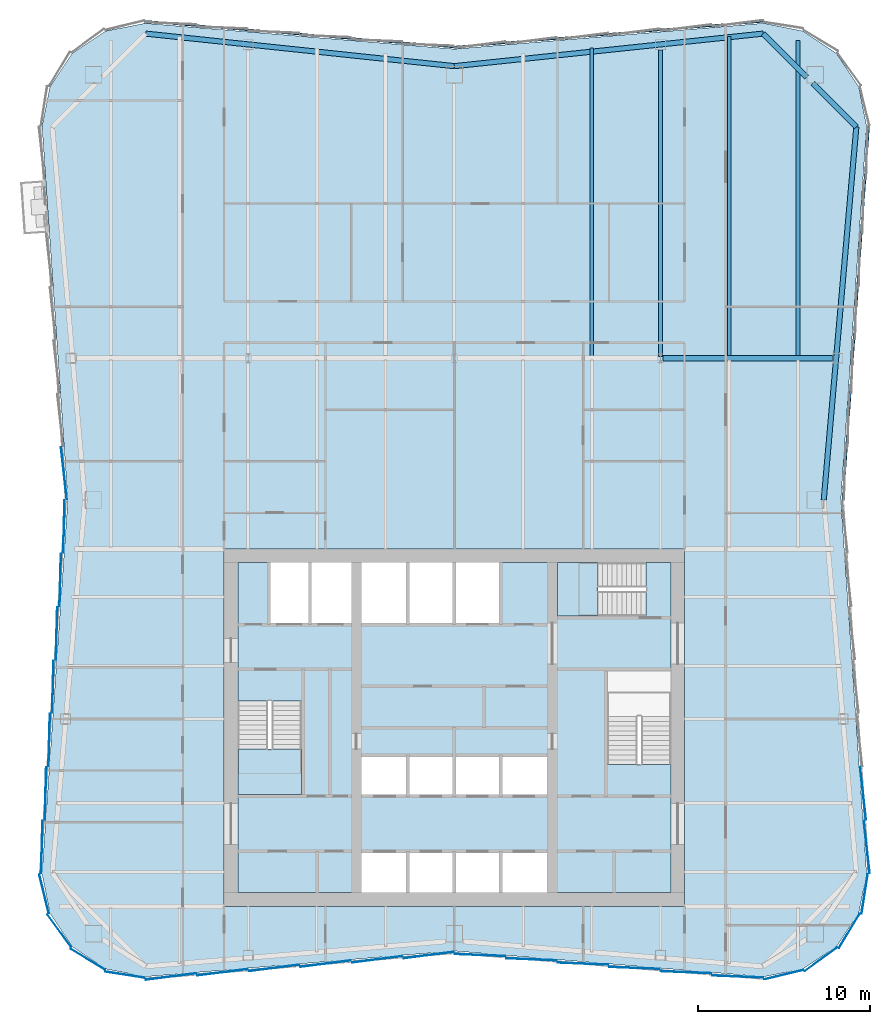
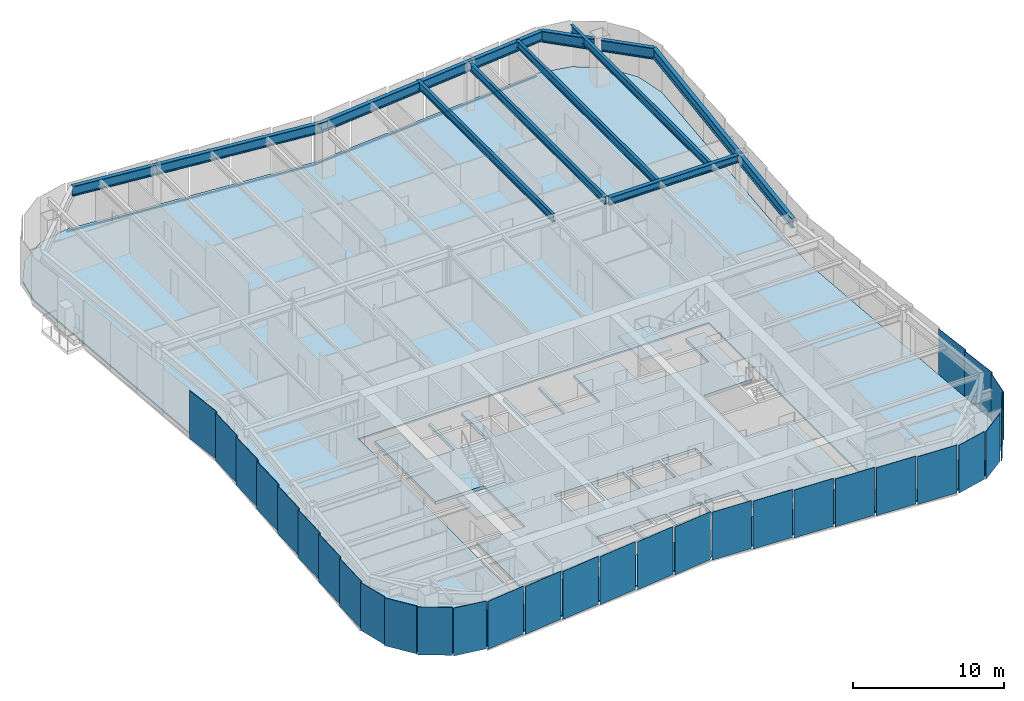
# One storey, part 4 of 11: 30 plates, 10 beams, 4 slabs, 3 members, 8 elements without a shape of their own.
"""IFC4 building model written with IfcOpenShell, lengths in metres."""

import ifcopenshell
import ifcopenshell.guid

model = None  # the IFC model being written
_history = None  # IfcOwnerHistory: only IFC2X3 demands one
_inside = {}  # id of a spatial element -> (the spatial element, [elements in it])
_under = {}  # id of a project, library or spatial element -> (it, [spatial elements below it])
_declared = {}  # id of a project -> (the project, [libraries it declares])
_typed = {}  # id of a type object -> (the type object, [elements of that type])
_made_of = {}  # id of a material, layer set ... -> (it, [elements and type objects made of it])


def new_model(schema):
    """Start an empty IFC model of exactly this schema.

    Asked for "IFC4X3", IfcOpenShell would pick the latest addendum, in which some entities
    have other attributes; the version numbers below select the first issue.
    IFC2X3 requires an IfcOwnerHistory on every rooted entity: one is made here for all.
    """
    global model, _history
    if schema == "IFC4X3":
        model = ifcopenshell.file(schema_version=(4, 3, 0, 0))
    else:
        model = ifcopenshell.file(schema=schema)
    _inside.clear()
    _under.clear()
    _declared.clear()
    _typed.clear()
    _made_of.clear()
    _history = None
    if model.schema == "IFC2X3":
        org = make("IfcOrganization", Name="unknown")
        user = make(
            "IfcPersonAndOrganization",
            ThePerson=make("IfcPerson", FamilyName="unknown"),
            TheOrganization=org,
        )
        app = make(
            "IfcApplication",
            ApplicationDeveloper=org,
            Version="unknown",
            ApplicationFullName="unknown",
            ApplicationIdentifier="unknown",
        )
        _history = make(
            "IfcOwnerHistory",
            OwningUser=user,
            OwningApplication=app,
            ChangeAction="ADDED",
            CreationDate=0,
        )
    return model


def make(cls, **values):
    """One entity of the class cls with the attributes given. An attribute that is None is left unset."""
    return model.create_entity(
        cls, **{name: value for name, value in values.items() if value is not None}
    )


def rooted(cls, **values):
    """An entity with a GlobalId (a new one), such as an element, a storey or a relation."""
    return make(cls, GlobalId=ifcopenshell.guid.new(), OwnerHistory=_history, **values)


def si_unit(unit_type, name, prefix=None):
    """IfcSIUnit, for example si_unit("LENGTHUNIT", "METRE", prefix="MILLI")."""
    return make("IfcSIUnit", UnitType=unit_type, Prefix=prefix, Name=name)


def assignment(units):
    """IfcUnitAssignment: the units of a project."""
    return None if units is None else make("IfcUnitAssignment", Units=units)


def point(xyz):
    """IfcCartesianPoint."""
    return None if xyz is None else make("IfcCartesianPoint", Coordinates=xyz)


def direction(xyz):
    """IfcDirection."""
    return None if xyz is None else make("IfcDirection", DirectionRatios=xyz)


def frame(location, z_axis=None, x_axis=None):
    """IfcAxis2Placement3D, a coordinate frame: its origin and axes. An axis left out is left unset."""
    return make(
        "IfcAxis2Placement3D",
        Location=point(location),
        Axis=direction(z_axis),
        RefDirection=direction(x_axis),
    )


def frame_2d(location, x_axis=None):
    """IfcAxis2Placement2D, a coordinate frame in the plane: its origin and x axis."""
    return make(
        "IfcAxis2Placement2D", Location=point(location), RefDirection=direction(x_axis)
    )


def origin():
    """The frame at (0, 0, 0) with its axes left unset."""
    return frame((0.0, 0.0, 0.0))


def origin_2d():
    """The frame at (0, 0) in the plane with its x axis left unset."""
    return frame_2d((0.0, 0.0))


def place(relative_to, where):
    """IfcLocalPlacement: puts the frame where relative to a parent placement (None: the world)."""
    return make(
        "IfcLocalPlacement", PlacementRelTo=relative_to, RelativePlacement=where
    )


def context(
    kind, dimensions, precision=None, world=None, true_north=None, identifier=None
):
    """IfcGeometricRepresentationContext, for example the 3D "Model" context."""
    return make(
        "IfcGeometricRepresentationContext",
        ContextIdentifier=identifier,
        ContextType=kind,
        CoordinateSpaceDimension=dimensions,
        Precision=precision,
        WorldCoordinateSystem=world,
        TrueNorth=true_north,
    )


def subcontext(parent, identifier, kind, view, scale=None):
    """IfcGeometricRepresentationSubContext, for example "Body" below "Model"."""
    return make(
        "IfcGeometricRepresentationSubContext",
        ContextIdentifier=identifier,
        ContextType=kind,
        ParentContext=parent,
        TargetScale=scale,
        TargetView=view,
    )


def project(units=None, contexts=None):
    """IfcProject with its units and contexts."""
    return rooted(
        "IfcProject",
        Name="project",
        RepresentationContexts=contexts,
        UnitsInContext=assignment(units),
    )


def spatial(cls, under=None, at=None, **own):
    """A site, building, storey or space (cls), placed at a placement, below another one or the project."""
    s = rooted(cls, ObjectPlacement=at, **own)
    if under is not None:
        _under.setdefault(under.id(), (under, []))[1].append(s)
    return s


def polyline(points):
    """IfcPolyline through the points."""
    return make("IfcPolyline", Points=[point(p) for p in points])


def profile(cls, at=None, kind="AREA", **sizes):
    """A parametric profile (cls). Its sizes go by their IFC names, for example OverallWidth=200.0."""
    return make(cls, ProfileType=kind, Position=at, **sizes)


def rectangle(**sizes):
    """IfcRectangleProfileDef."""
    return profile("IfcRectangleProfileDef", **sizes)


def i_section(**sizes):
    """IfcIShapeProfileDef."""
    return profile("IfcIShapeProfileDef", **sizes)


def outline(outer, holes=None, kind="AREA"):
    """IfcArbitraryClosedProfileDef: a profile drawn as a closed curve; with holes, ...WithVoids."""
    if holes is None:
        return make("IfcArbitraryClosedProfileDef", ProfileType=kind, OuterCurve=outer)
    return make(
        "IfcArbitraryProfileDefWithVoids",
        ProfileType=kind,
        OuterCurve=outer,
        InnerCurves=holes,
    )


def extrude(swept, where, along, depth):
    """IfcExtrudedAreaSolid: the profile swept, set in the frame where, extruded along a direction by depth."""
    return make(
        "IfcExtrudedAreaSolid",
        SweptArea=swept,
        Position=where,
        ExtrudedDirection=direction(along),
        Depth=depth,
    )


def shape(context_of_items, identifier, shape_type, items):
    """IfcShapeRepresentation: the items that make up one representation, for example the "Body"."""
    return make(
        "IfcShapeRepresentation",
        ContextOfItems=context_of_items,
        RepresentationIdentifier=identifier,
        RepresentationType=shape_type,
        Items=items,
    )


def material(Name=None, Category=None):
    """IfcMaterial."""
    return make("IfcMaterial", Name=Name, Category=Category)


def layer(
    of_material, thickness, ventilated=None, Name=None, Category=None, Priority=None
):
    """IfcMaterialLayer: one layer of a wall or slab, of a material (None: an air gap)."""
    return make(
        "IfcMaterialLayer",
        Material=of_material,
        LayerThickness=thickness,
        IsVentilated=ventilated,
        Name=Name,
        Category=Category,
        Priority=Priority,
    )


def layer_set(layers, Name=None):
    """IfcMaterialLayerSet."""
    return make("IfcMaterialLayerSet", MaterialLayers=layers, LayerSetName=Name)


def material_profile(
    of_material, cross_section, Name=None, Category=None, Priority=None
):
    """IfcMaterialProfile: a cross section and its material."""
    return make(
        "IfcMaterialProfile",
        Name=Name,
        Material=of_material,
        Profile=cross_section,
        Priority=Priority,
        Category=Category,
    )


def profile_set(profiles, Name=None, composite=None):
    """IfcMaterialProfileSet."""
    return make(
        "IfcMaterialProfileSet",
        Name=Name,
        MaterialProfiles=profiles,
        CompositeProfile=composite,
    )


def made_of(thing, what):
    """Note that an element or type object is made of a material, layer set ...; save() writes the relation."""
    if what is not None:
        _made_of.setdefault(what.id(), (what, []))[1].append(thing)
    return thing


def type_object(cls, material=None, **own):
    """A type object (cls), such as IfcWallType, which elements share."""
    return made_of(rooted(cls, **own), material)


def element(
    cls,
    number,
    at=None,
    inside=None,
    cuts=None,
    type_object=None,
    material=None,
    context=None,
    identifier="Body",
    shape_type=None,
    held_by="IfcProductDefinitionShape",
    body=None,
    shapes=None,
    **own,
):
    """One element of the class cls, such as IfcWall. Its Tag is "e" and its number.

    at: its placement. inside: the storey or other place that contains it. cuts: it is an
    opening in that element (IfcRelVoidsElement). A single representation is given by context,
    identifier, shape_type and body (its items); several are given by shapes. held_by: the class
    of the entity that holds the representations. save() writes the other relations.
    """
    e = rooted(cls, Tag="e%d" % number, ObjectPlacement=at, **own)
    if body is not None:
        shapes = [shape(context, identifier, shape_type, body)]
    if shapes is not None:
        e.Representation = make(held_by, Representations=shapes)
    if inside is not None:
        _inside.setdefault(inside.id(), (inside, []))[1].append(e)
    if cuts is not None:
        rooted(
            "IfcRelVoidsElement", RelatingBuildingElement=cuts, RelatedOpeningElement=e
        )
    if type_object is not None:
        _typed.setdefault(type_object.id(), (type_object, []))[1].append(e)
    return made_of(e, material)


def aggregate(whole, parts):
    """IfcRelAggregates: a whole, such as a stair, and the parts it consists of."""
    return rooted("IfcRelAggregates", RelatingObject=whole, RelatedObjects=parts)


def save(model, path):
    """Write the relations noted so far, then the file.

    IfcRelAggregates (storeys below a building ...), IfcRelContainedInSpatialStructure (elements
    in a storey), IfcRelDefinesByType, IfcRelAssociatesMaterial and IfcRelDeclares: one each for
    every whole, place, type object, material and project.
    """
    for whole, parts in _under.values():
        aggregate(whole, parts)
    for where, things in _inside.values():
        rooted(
            "IfcRelContainedInSpatialStructure",
            RelatedElements=things,
            RelatingStructure=where,
        )
    for kind, things in _typed.values():
        rooted("IfcRelDefinesByType", RelatedObjects=things, RelatingType=kind)
    for what, things in _made_of.values():
        rooted("IfcRelAssociatesMaterial", RelatedObjects=things, RelatingMaterial=what)
    for by, libraries in _declared.values():
        rooted("IfcRelDeclares", RelatingContext=by, RelatedDefinitions=libraries)
    model.write(path)


model = new_model("IFC4")

# Units and contexts
model_context = context("Model", 3, precision=1e-05, world=origin(), true_north=direction((0.0, 1.0)))
body_context = subcontext(model_context, "Body", "Model", "MODEL_VIEW")
ifc_project = project(units=[si_unit("LENGTHUNIT", "METRE"), si_unit("AREAUNIT", "SQUARE_METRE"), si_unit("VOLUMEUNIT", "CUBIC_METRE"), si_unit("PLANEANGLEUNIT", "RADIAN"), si_unit("MASSUNIT", "GRAM", prefix="KILO")], contexts=[model_context])

# Site, building, storey
site_placement = place(None, origin())
site = spatial("IfcSite", under=ifc_project, at=site_placement, CompositionType="ELEMENT")
building_placement = place(site_placement, origin())
building = spatial("IfcBuilding", under=site, at=building_placement, Name="Verdant Reach Tower", CompositionType="ELEMENT")
storey_placement = place(building_placement, frame((0.0, 0.0, 258.0)))
storey = spatial("IfcBuildingStorey", under=building, at=storey_placement, Name="L59", CompositionType="ELEMENT", Elevation=258.0)

# Curtain wall, member
ifc_material_1 = material(Name="Anodised aluminium", Category="aluminium")
curtain_wall_type = type_object("IfcCurtainWallType", Name="EN-CW SYSTEM Z4", PredefinedType="NOTDEFINED", material=ifc_material_1)
curtain_wall_1_placement = place(storey_placement, origin())
curtain_wall_1 = element("IfcCurtainWall", 1, at=curtain_wall_1_placement, inside=storey, type_object=curtain_wall_type, Name="Curtain wall east, L59", PredefinedType="NOTDEFINED")
ifc_material_profile_1 = material_profile(ifc_material_1, rectangle(XDim=0.10009765625, YDim=0.1279296875, at=origin_2d()), Name="Transom 128x100")
ifc_profile_set_1 = profile_set([ifc_material_profile_1], Name="Anodised aluminium")
member_type = type_object("IfcMemberType", Name="EN-TRANSOM Z4", PredefinedType="USERDEFINED", material=ifc_profile_set_1)
member_1_placement = place(storey_placement, frame((22.6142578125, 41.283935546875, -0.285888671875), z_axis=(0.068770489035, 0.997632507408, 0.0), x_axis=(-0.997632507408, 0.068770489035, 0.0)))
member_1 = element("IfcMember", 2, at=member_1_placement, type_object=member_type, Name="Transom east face part 2 1.1, L59", ObjectType="TRANSOM", PredefinedType="USERDEFINED", context=body_context, shape_type="SweptSolid", body=[
    extrude(rectangle(XDim=0.10009765625, YDim=0.1279296875, at=origin_2d()), origin(), (0.0, 0.0, 1.0), 21.74072265625),
])

# Curtain wall, members
curtain_wall_2_placement = place(storey_placement, origin())
curtain_wall_2 = element("IfcCurtainWall", 3, at=curtain_wall_2_placement, inside=storey, type_object=curtain_wall_type, Name="Curtain wall north, L59", PredefinedType="NOTDEFINED")
member_2_placement = place(storey_placement, frame((17.972412109375, 69.10888671875, -0.285888671875), z_axis=(-0.996549124771, -0.083005071637, 0.0), x_axis=(0.083005071637, -0.996549124771, 0.0)))
member_2 = element("IfcMember", 4, at=member_2_placement, type_object=member_type, Name="Transom north face part 1 1.1, L59", ObjectType="TRANSOM", PredefinedType="USERDEFINED", context=body_context, shape_type="SweptSolid", body=[
    extrude(rectangle(XDim=0.10009765625, YDim=0.1279296875, at=origin_2d()), origin(), (0.0, 0.0, 1.0), 18.00048828125),
])
member_3_placement = place(storey_placement, frame((-0.033935546875, 67.61474609375, -0.285888671875), z_axis=(-0.996549124771, 0.083005071637, 0.0), x_axis=(-0.083005071637, -0.996549124771, 0.0)))
member_3 = element("IfcMember", 5, at=member_3_placement, type_object=member_type, Name="Transom north face part 2 1.1, L59", ObjectType="TRANSOM", PredefinedType="USERDEFINED", context=body_context, shape_type="SweptSolid", body=[
    extrude(rectangle(XDim=0.10009765625, YDim=0.1279296875, at=origin_2d()), origin(), (0.0, 0.0, 1.0), 18.00048828125),
])
aggregate(curtain_wall_2, [member_2, member_3])

# Beams
ifc_material_2 = material(Name="Steel S355", Category="steel")
ifc_material_profile_2 = material_profile(ifc_material_2, i_section(OverallWidth=0.300048828125, OverallDepth=0.60009765625, WebThickness=0.015380859375, FlangeThickness=0.030029296875, FilletRadius=0.027099609375, at=origin_2d()), Name="HEB 600")
ifc_profile_set_2 = profile_set([ifc_material_profile_2], Name="Steel S355")
beam_type_1 = type_object("IfcBeamType", Name="ST-BEAM-HEB600", PredefinedType="BEAM", material=ifc_profile_set_2)
beam_1_placement = place(storey_placement, frame((12.153076171875, 49.5, 3.570068359375), z_axis=(1.0, 0.0, 0.0), x_axis=(0.0, 1.0, 0.0)))
element("IfcBeam", 6, at=beam_1_placement, inside=storey, type_object=beam_type_1, Name="Row girder, L59", PredefinedType="BEAM", context=body_context, shape_type="SweptSolid", body=[
    extrude(i_section(OverallWidth=0.300048828125, OverallDepth=0.60009765625, WebThickness=0.015380859375, FlangeThickness=0.030029296875, FilletRadius=0.027099609375, at=origin_2d()), origin(), (0.0, 0.0, 1.0), 9.865966796875),
])
ifc_material_profile_3 = material_profile(ifc_material_2, i_section(OverallWidth=0.219970703125, OverallDepth=0.60009765625, WebThickness=0.011962890625, FlangeThickness=0.01904296875, FilletRadius=0.02392578125, at=origin_2d()), Name="IPE 600")
ifc_profile_set_3 = profile_set([ifc_material_profile_3], Name="Steel S355")
beam_type_2 = type_object("IfcBeamType", Name="ST-JOIST-IPE600", PredefinedType="JOIST", material=ifc_profile_set_3)
beam_2_placement = place(storey_placement, frame((8.0, 49.60009765625, 3.570068359375), z_axis=(0.0, 1.0, 0.0), x_axis=(-1.0, 0.0, 0.0)))
element("IfcBeam", 7, at=beam_2_placement, inside=storey, type_object=beam_type_2, Name="Floor joist, L59", PredefinedType="JOIST", context=body_context, shape_type="SweptSolid", body=[
    extrude(i_section(OverallWidth=0.219970703125, OverallDepth=0.60009765625, WebThickness=0.011962890625, FlangeThickness=0.01904296875, FilletRadius=0.02392578125, at=origin_2d()), origin(), (0.0, 0.0, 1.0), 17.964599609375),
])
beam_3_placement = place(storey_placement, frame((12.0, 49.60009765625, 3.570068359375), z_axis=(0.0, 1.0, 0.0), x_axis=(-1.0, 0.0, 0.0)))
element("IfcBeam", 8, at=beam_3_placement, inside=storey, type_object=beam_type_2, Name="Floor joist, L59", PredefinedType="JOIST", context=body_context, shape_type="SweptSolid", body=[
    extrude(i_section(OverallWidth=0.219970703125, OverallDepth=0.60009765625, WebThickness=0.011962890625, FlangeThickness=0.01904296875, FilletRadius=0.02392578125, at=origin_2d()), origin(), (0.0, 0.0, 1.0), 17.849853515625),
])
beam_4_placement = place(storey_placement, frame((16.0, 49.60009765625, 3.570068359375), z_axis=(0.0, 1.0, 0.0), x_axis=(-1.0, 0.0, 0.0)))
element("IfcBeam", 9, at=beam_4_placement, inside=storey, type_object=beam_type_2, Name="Floor joist, L59", PredefinedType="JOIST", context=body_context, shape_type="SweptSolid", body=[
    extrude(i_section(OverallWidth=0.219970703125, OverallDepth=0.60009765625, WebThickness=0.011962890625, FlangeThickness=0.01904296875, FilletRadius=0.02392578125, at=origin_2d()), origin(), (0.0, 0.0, 1.0), 18.631103515625),
])
beam_5_placement = place(storey_placement, frame((20.0, 49.60009765625, 3.570068359375), z_axis=(0.0, 1.0, 0.0), x_axis=(-1.0, 0.0, 0.0)))
element("IfcBeam", 10, at=beam_5_placement, inside=storey, type_object=beam_type_2, Name="Floor joist, L59", PredefinedType="JOIST", context=body_context, shape_type="SweptSolid", body=[
    extrude(i_section(OverallWidth=0.219970703125, OverallDepth=0.60009765625, WebThickness=0.011962890625, FlangeThickness=0.01904296875, FilletRadius=0.02392578125, at=origin_2d()), origin(), (0.0, 0.0, 1.0), 18.390380859375),
])
ifc_material_profile_4 = material_profile(ifc_material_2, i_section(OverallWidth=0.300048828125, OverallDepth=0.800048828125, WebThickness=0.017578125, FlangeThickness=0.032958984375, FilletRadius=0.030029296875, at=origin_2d()), Name="HEB 800")
ifc_profile_set_4 = profile_set([ifc_material_profile_4], Name="Steel S355")
beam_type_3 = type_object("IfcBeamType", Name="ST-SPANDREL-HEB800", PredefinedType="SPANDREL", material=ifc_profile_set_4)
for number, where, z_axis, x_axis, name in (
    (11, (-17.9658203125, 68.39501953125, 3.469970703125), (0.994483067002, -0.104897232783, 0.0), (0.104897232783, 0.994483067002, 0.0), "Edge beam, L59"),
    (12, (0.0, 66.5, 3.469970703125), (0.994483067002, 0.104897232783, 0.0), (-0.104897232783, 0.994483067002, 0.0), "Edge beam, L59"),
):
    element("IfcBeam", number, at=place(storey_placement, frame(where, z_axis=z_axis, x_axis=x_axis)), inside=storey, type_object=beam_type_3, Name=name, PredefinedType="SPANDREL", context=body_context, shape_type="SweptSolid", body=[
        extrude(i_section(OverallWidth=0.300048828125, OverallDepth=0.800048828125, WebThickness=0.017578125, FlangeThickness=0.032958984375, FilletRadius=0.030029296875, at=origin_2d()), origin(), (0.0, 0.0, 1.0), 18.0654296875),
    ])
beam_6_placement = place(storey_placement, frame((23.39599609375, 62.96142578125, 3.469970703125), z_axis=(-0.086996024331, -0.996208658741, 0.0), x_axis=(0.996208658741, -0.086996024331, 0.0)))
element("IfcBeam", 13, at=beam_6_placement, inside=storey, type_object=beam_type_3, Name="Edge beam, L59", PredefinedType="SPANDREL", context=body_context, shape_type="SweptSolid", body=[
    extrude(i_section(OverallWidth=0.300048828125, OverallDepth=0.800048828125, WebThickness=0.017578125, FlangeThickness=0.032958984375, FilletRadius=0.030029296875, at=origin_2d()), origin(), (0.0, 0.0, 1.0), 21.7939453125),
])
ifc_material_profile_5 = material_profile(ifc_material_2, i_section(OverallWidth=0.302001953125, OverallDepth=0.909912109375, WebThickness=0.02099609375, FlangeThickness=0.0400390625, FilletRadius=0.030029296875, at=origin_2d()), Name="HEM 900")
ifc_profile_set_5 = profile_set([ifc_material_profile_5], Name="Steel S355")
beam_type_4 = type_object("IfcBeamType", Name="ST-SPANDREL-HEM900", PredefinedType="SPANDREL", material=ifc_profile_set_5)
beam_7_placement = place(storey_placement, frame((17.9658203125, 68.39501953125, 3.4150390625), z_axis=(0.706868394255, -0.707345087777, 0.0), x_axis=(0.707345087777, 0.706868394255, 0.0)))
element("IfcBeam", 14, at=beam_7_placement, inside=storey, type_object=beam_type_4, Name="Edge beam, L59", PredefinedType="SPANDREL", context=body_context, shape_type="SweptSolid", body=[
    extrude(i_section(OverallWidth=0.302001953125, OverallDepth=0.909912109375, WebThickness=0.02099609375, FlangeThickness=0.0400390625, FilletRadius=0.030029296875, at=origin_2d()), origin(), (0.0, 0.0, 1.0), 3.5849609375),
])
beam_8_placement = place(storey_placement, frame((20.85888671875, 65.5, 3.4150390625), z_axis=(0.706902680526, -0.707310822952, 0.0), x_axis=(0.707310822952, 0.706902680526, 0.0)))
element("IfcBeam", 15, at=beam_8_placement, inside=storey, type_object=beam_type_4, Name="Edge beam, L59", PredefinedType="SPANDREL", context=body_context, shape_type="SweptSolid", body=[
    extrude(i_section(OverallWidth=0.302001953125, OverallDepth=0.909912109375, WebThickness=0.02099609375, FlangeThickness=0.0400390625, FilletRadius=0.030029296875, at=origin_2d()), origin(), (0.0, 0.0, 1.0), 3.589111328125),
])

# Stair, slab
ifc_material_3 = material(Name="Concrete C40/50", Category="concrete")
stair_type = type_object("IfcStairType", Name="CO-STAIR", PredefinedType="HALF_TURN_STAIR", material=ifc_material_3)
stair_1_placement = place(storey_placement, origin())
stair_1 = element("IfcStair", 16, at=stair_1_placement, inside=storey, type_object=stair_type, Name="L59 Exit stair 1", PredefinedType="HALF_TURN_STAIR")
ifc_layer_1 = layer(ifc_material_3, 0.199951171875)
ifc_layer_set_1 = layer_set([ifc_layer_1], Name="CO-STAIR-LANDING")
slab_type_1 = type_object("IfcSlabType", Name="CO-STAIR-LANDING", PredefinedType="LANDING", material=ifc_layer_set_1)
slab_1_placement = place(storey_placement, frame((0.0, 0.0, 1.800048828125)))
slab_1 = element("IfcSlab", 17, at=slab_1_placement, type_object=slab_type_1, Name="ST-1 landing 1", PredefinedType="LANDING", context=body_context, shape_type="SweptSolid", body=[
    extrude(outline(polyline([(-12.60009765625, 26.75), (-12.60009765625, 24.10009765625), (-8.89990234375, 24.10009765625), (-8.89990234375, 26.75), (-12.60009765625, 26.75)])), origin(), (0.0, 0.0, 1.0), 0.199951171875),
])
aggregate(stair_1, [slab_1])

stair_2_placement = place(storey_placement, origin())
stair_2 = element("IfcStair", 18, at=stair_2_placement, inside=storey, type_object=stair_type, Name="L59 Exit stair 3", PredefinedType="HALF_TURN_STAIR")
slab_2_placement = place(storey_placement, frame((0.0, 0.0, 1.800048828125)))
slab_2 = element("IfcSlab", 19, at=slab_2_placement, type_object=slab_type_1, Name="ST-3 landing 1", PredefinedType="LANDING", context=body_context, shape_type="SweptSolid", body=[
    extrude(outline(polyline([(8.35009765625, 37.60009765625), (6.0, 37.60009765625), (6.0, 34.5), (8.35009765625, 34.5), (8.35009765625, 37.60009765625)])), origin(), (0.0, 0.0, 1.0), 0.199951171875),
])
aggregate(stair_2, [slab_2])

# Curtain wall, plate
curtain_wall_3_placement = place(storey_placement, origin())
curtain_wall_3 = element("IfcCurtainWall", 20, at=curtain_wall_3_placement, inside=storey, type_object=curtain_wall_type, Name="Curtain wall south-east corner, L59", PredefinedType="NOTDEFINED")
ifc_material_4 = material(Name="Tinted glass with champagne spandrel", Category="glass")
ifc_layer_2 = layer(ifc_material_4, 0.031982421875)
ifc_layer_set_2 = layer_set([ifc_layer_2], Name="EN-PANEL CHAMPAGNE")
plate_type_1 = type_object("IfcPlateType", Name="EN-PANEL CHAMPAGNE", PredefinedType="CURTAIN_PANEL", material=ifc_layer_set_2)
plate_1_placement = place(storey_placement, frame((23.87939453125, 18.326904296875, -0.221923828125), z_axis=(0.0, 0.0, 1.0), x_axis=(0.154324690427, 0.988020187003, 0.0)))
plate_1 = element("IfcPlate", 21, at=plate_1_placement, type_object=plate_type_1, Name="Glass panel south-east corner 4.1, L59", PredefinedType="CURTAIN_PANEL", context=body_context, shape_type="SweptSolid", body=[
    extrude(rectangle(XDim=2.313720703125, YDim=0.031982421875, at=origin_2d()), origin(), (0.0, 0.0, 1.0), 3.8720703125),
])

# Plate
plate_2_placement = place(storey_placement, frame((23.790283203125, 24.16845703125, -0.221923828125), z_axis=(0.0, 0.0, 1.0), x_axis=(-0.110518162674, 0.993874104562, 0.0)))
plate_2 = element("IfcPlate", 22, at=plate_2_placement, type_object=plate_type_1, Name="Glass panel east face part 1 2.1, L59", PredefinedType="CURTAIN_PANEL", context=body_context, shape_type="SweptSolid", body=[
    extrude(rectangle(XDim=3.050537109375, YDim=0.031982421875, at=origin_2d()), origin(), (0.0, 0.0, 1.0), 3.8720703125),
])

# Curtain wall, plates
curtain_wall_4_placement = place(storey_placement, origin())
curtain_wall_4 = element("IfcCurtainWall", 23, at=curtain_wall_4_placement, inside=storey, type_object=curtain_wall_type, Name="Curtain wall west, L59", PredefinedType="NOTDEFINED")
plate_3_placement = place(storey_placement, frame((-22.718994140625, 42.7998046875, -0.221923828125), z_axis=(0.0, 0.0, 1.0), x_axis=(0.110603065042, -0.993864659802, 0.0)))
plate_3 = element("IfcPlate", 24, at=plate_3_placement, type_object=plate_type_1, Name="Glass panel west face part 1 7.1, L59", PredefinedType="CURTAIN_PANEL", context=body_context, shape_type="SweptSolid", body=[
    extrude(rectangle(XDim=3.042724609375, YDim=0.031982421875, at=origin_2d()), origin(), (0.0, 0.0, 1.0), 3.8720703125),
])
plate_4_placement = place(storey_placement, frame((-22.718994140625, 39.7001953125, -0.221923828125), z_axis=(0.0, 0.0, 1.0), x_axis=(-0.027050713229, -0.999634062502, 0.0)))
plate_4 = element("IfcPlate", 25, at=plate_4_placement, type_object=plate_type_1, Name="Glass panel west face part 2 1.1, L59", PredefinedType="CURTAIN_PANEL", context=body_context, shape_type="SweptSolid", body=[
    extrude(rectangle(XDim=3.042724609375, YDim=0.031982421875, at=origin_2d()), origin(), (0.0, 0.0, 1.0), 3.8720703125),
])
plate_5_placement = place(storey_placement, frame((-22.93310546875, 36.596923828125, -0.221923828125), z_axis=(0.0, 0.0, 1.0), x_axis=(-0.026965318308, -0.999636369691, 0.0)))
plate_5 = element("IfcPlate", 26, at=plate_5_placement, type_object=plate_type_1, Name="Glass panel west face part 2 2.1, L59", PredefinedType="CURTAIN_PANEL", context=body_context, shape_type="SweptSolid", body=[
    extrude(rectangle(XDim=3.050537109375, YDim=0.031982421875, at=origin_2d()), origin(), (0.0, 0.0, 1.0), 3.8720703125),
])

curtain_wall_5_placement = place(storey_placement, origin())
curtain_wall_5 = element("IfcCurtainWall", 27, at=curtain_wall_5_placement, inside=storey, type_object=curtain_wall_type, Name="Curtain wall south, L59", PredefinedType="NOTDEFINED")
plate_6_placement = place(storey_placement, frame((-7.49072265625, 14.263427734375, -0.221923828125), z_axis=(0.0, 0.0, 1.0), x_axis=(0.992194034542, 0.124703639961, 0.0)))
plate_6 = element("IfcPlate", 28, at=plate_6_placement, type_object=plate_type_1, Name="Glass panel south face part 1 4.1, L59", PredefinedType="CURTAIN_PANEL", context=body_context, shape_type="SweptSolid", body=[
    extrude(rectangle(XDim=2.9462890625, YDim=0.031982421875, at=origin_2d()), origin(), (0.0, 0.0, 1.0), 3.8720703125),
])
plate_7_placement = place(storey_placement, frame((-4.49072265625, 14.513427734375, -0.221923828125), z_axis=(0.0, 0.0, 1.0), x_axis=(0.992194034542, 0.124703639961, 0.0)))
plate_7 = element("IfcPlate", 29, at=plate_7_placement, type_object=plate_type_1, Name="Glass panel south face part 1 5.1, L59", PredefinedType="CURTAIN_PANEL", context=body_context, shape_type="SweptSolid", body=[
    extrude(rectangle(XDim=2.9462890625, YDim=0.031982421875, at=origin_2d()), origin(), (0.0, 0.0, 1.0), 3.8720703125),
])
plate_8_placement = place(storey_placement, frame((-1.495361328125, 14.76318359375, -0.221923828125), z_axis=(0.0, 0.0, 1.0), x_axis=(0.992177950603, 0.124831543836, 0.0)))
plate_8 = element("IfcPlate", 30, at=plate_8_placement, type_object=plate_type_1, Name="Glass panel south face part 1 6.1, L59", PredefinedType="CURTAIN_PANEL", context=body_context, shape_type="SweptSolid", body=[
    extrude(rectangle(XDim=2.93701171875, YDim=0.031982421875, at=origin_2d()), origin(), (0.0, 0.0, 1.0), 3.8720703125),
])
plate_9_placement = place(storey_placement, frame((16.49853515625, 13.51318359375, -0.221923828125), z_axis=(0.0, 0.0, 1.0), x_axis=(0.999164016711, -0.040881141246, 0.0)))
plate_9 = element("IfcPlate", 31, at=plate_9_placement, type_object=plate_type_1, Name="Glass panel south face part 2 6.1, L59", PredefinedType="CURTAIN_PANEL", context=body_context, shape_type="SweptSolid", body=[
    extrude(rectangle(XDim=2.9619140625, YDim=0.031982421875, at=origin_2d()), origin(), (0.0, 0.0, 1.0), 3.8720703125),
])

# Plate
ifc_material_5 = material(Name="Tinted glass with copper spandrel", Category="glass")
ifc_layer_3 = layer(ifc_material_5, 0.031982421875)
ifc_layer_set_3 = layer_set([ifc_layer_3], Name="EN-PANEL COPPER")
plate_type_2 = type_object("IfcPlateType", Name="EN-PANEL COPPER", PredefinedType="CURTAIN_PANEL", material=ifc_layer_set_3)
plate_10_placement = place(storey_placement, frame((19.172607421875, 13.62060546875, -0.221923828125), z_axis=(0.0, 0.0, 1.0), x_axis=(0.971652337104, 0.236414330786, 0.0)))
plate_10 = element("IfcPlate", 32, at=plate_10_placement, type_object=plate_type_2, Name="Glass panel south-east corner 1.1, L59", PredefinedType="CURTAIN_PANEL", context=body_context, shape_type="SweptSolid", body=[
    extrude(rectangle(XDim=2.314453125, YDim=0.031982421875, at=origin_2d()), origin(), (0.0, 0.0, 1.0), 3.8720703125),
])

plate_11_placement = place(storey_placement, frame((-23.1474609375, 33.48974609375, -0.221923828125), z_axis=(0.0, 0.0, 1.0), x_axis=(-0.026965318308, -0.999636369691, 0.0)))
plate_11 = element("IfcPlate", 33, at=plate_11_placement, type_object=plate_type_2, Name="Glass panel west face part 2 3.1, L59", PredefinedType="CURTAIN_PANEL", context=body_context, shape_type="SweptSolid", body=[
    extrude(rectangle(XDim=3.050537109375, YDim=0.031982421875, at=origin_2d()), origin(), (0.0, 0.0, 1.0), 3.8720703125),
])

plate_12_placement = place(storey_placement, frame((-23.36181640625, 30.3828125, -0.221923828125), z_axis=(0.0, 0.0, 1.0), x_axis=(-0.026965318308, -0.999636369691, 0.0)))
plate_12 = element("IfcPlate", 34, at=plate_12_placement, type_object=plate_type_2, Name="Glass panel west face part 2 4.1, L59", PredefinedType="CURTAIN_PANEL", context=body_context, shape_type="SweptSolid", body=[
    extrude(rectangle(XDim=3.050537109375, YDim=0.031982421875, at=origin_2d()), origin(), (0.0, 0.0, 1.0), 3.8720703125),
])

# Curtain wall, plates
curtain_wall_6_placement = place(storey_placement, origin())
curtain_wall_6 = element("IfcCurtainWall", 35, at=curtain_wall_6_placement, inside=storey, type_object=curtain_wall_type, Name="Curtain wall south-west corner, L59", PredefinedType="NOTDEFINED")
plate_13_placement = place(storey_placement, frame((-23.87939453125, 18.326904296875, -0.221923828125), z_axis=(0.0, 0.0, 1.0), x_axis=(0.236458850433, -0.971641503875, 0.0)))
plate_13 = element("IfcPlate", 36, at=plate_13_placement, type_object=plate_type_2, Name="Glass panel south-west corner 1.1, L59", PredefinedType="CURTAIN_PANEL", context=body_context, shape_type="SweptSolid", body=[
    extrude(rectangle(XDim=2.313720703125, YDim=0.031982421875, at=origin_2d()), origin(), (0.0, 0.0, 1.0), 3.8720703125),
])
plate_14_placement = place(storey_placement, frame((-22.984375, 16.169677734375, -0.221923828125), z_axis=(0.0, 0.0, 1.0), x_axis=(0.589926737254, -0.80745677573, 0.0)))
plate_14 = element("IfcPlate", 37, at=plate_14_placement, type_object=plate_type_2, Name="Glass panel south-west corner 2.1, L59", PredefinedType="CURTAIN_PANEL", context=body_context, shape_type="SweptSolid", body=[
    extrude(rectangle(XDim=2.32080078125, YDim=0.031982421875, at=origin_2d()), origin(), (0.0, 0.0, 1.0), 3.8720703125),
])
plate_15_placement = place(storey_placement, frame((-21.330322265625, 14.515625, -0.221923828125), z_axis=(0.0, 0.0, 1.0), x_axis=(0.853988708265, -0.520291539577, 0.0)))
plate_15 = element("IfcPlate", 38, at=plate_15_placement, type_object=plate_type_2, Name="Glass panel south-west corner 3.1, L59", PredefinedType="CURTAIN_PANEL", context=body_context, shape_type="SweptSolid", body=[
    extrude(rectangle(XDim=2.32080078125, YDim=0.031982421875, at=origin_2d()), origin(), (0.0, 0.0, 1.0), 3.8720703125),
])

# Plate
plate_16_placement = place(storey_placement, frame((-16.49853515625, 13.51318359375, -0.221923828125), z_axis=(0.0, 0.0, 1.0), x_axis=(0.992238962139, 0.124345655383, 0.0)))
plate_16 = element("IfcPlate", 39, at=plate_16_placement, type_object=plate_type_2, Name="Glass panel south face part 1 1.1, L59", PredefinedType="CURTAIN_PANEL", context=body_context, shape_type="SweptSolid", body=[
    extrude(rectangle(XDim=2.9619140625, YDim=0.031982421875, at=origin_2d()), origin(), (0.0, 0.0, 1.0), 3.8720703125),
])

plate_17_placement = place(storey_placement, frame((1.495361328125, 14.76318359375, -0.221923828125), z_axis=(0.0, 0.0, 1.0), x_axis=(0.999143877249, -0.041370430933, 0.0)))
plate_17 = element("IfcPlate", 40, at=plate_17_placement, type_object=plate_type_2, Name="Glass panel south face part 2 1.1, L59", PredefinedType="CURTAIN_PANEL", context=body_context, shape_type="SweptSolid", body=[
    extrude(rectangle(XDim=2.93701171875, YDim=0.031982421875, at=origin_2d()), origin(), (0.0, 0.0, 1.0), 3.8720703125),
])

plate_18_placement = place(storey_placement, frame((4.49072265625, 14.513427734375, -0.221923828125), z_axis=(0.0, 0.0, 1.0), x_axis=(0.999149202059, -0.041241629766, 0.0)))
plate_18 = element("IfcPlate", 41, at=plate_18_placement, type_object=plate_type_2, Name="Glass panel south face part 2 2.1, L59", PredefinedType="CURTAIN_PANEL", context=body_context, shape_type="SweptSolid", body=[
    extrude(rectangle(XDim=2.9462890625, YDim=0.031982421875, at=origin_2d()), origin(), (0.0, 0.0, 1.0), 3.8720703125),
])

ifc_material_6 = material(Name="Tinted glass with dark bronze spandrel", Category="glass")
ifc_layer_4 = layer(ifc_material_6, 0.031982421875)
ifc_layer_set_4 = layer_set([ifc_layer_4], Name="EN-PANEL DARK")
plate_type_3 = type_object("IfcPlateType", Name="EN-PANEL DARK", PredefinedType="CURTAIN_PANEL", material=ifc_layer_set_4)
plate_19_placement = place(storey_placement, frame((21.330322265625, 14.515625, -0.221923828125), z_axis=(0.0, 0.0, 1.0), x_axis=(0.80745677573, 0.589926737254, 0.0)))
plate_19 = element("IfcPlate", 42, at=plate_19_placement, type_object=plate_type_3, Name="Glass panel south-east corner 2.1, L59", PredefinedType="CURTAIN_PANEL", context=body_context, shape_type="SweptSolid", body=[
    extrude(rectangle(XDim=2.32080078125, YDim=0.031982421875, at=origin_2d()), origin(), (0.0, 0.0, 1.0), 3.8720703125),
])

plate_20_placement = place(storey_placement, frame((22.984375, 16.169677734375, -0.221923828125), z_axis=(0.0, 0.0, 1.0), x_axis=(0.520291539577, 0.853988708265, 0.0)))
plate_20 = element("IfcPlate", 43, at=plate_20_placement, type_object=plate_type_3, Name="Glass panel south-east corner 3.1, L59", PredefinedType="CURTAIN_PANEL", context=body_context, shape_type="SweptSolid", body=[
    extrude(rectangle(XDim=2.32080078125, YDim=0.031982421875, at=origin_2d()), origin(), (0.0, 0.0, 1.0), 3.8720703125),
])

aggregate(curtain_wall_3, [plate_10, plate_19, plate_20, plate_1])

plate_21_placement = place(storey_placement, frame((24.004638671875, 21.053955078125, -0.221923828125), z_axis=(0.0, 0.0, 1.0), x_axis=(-0.110205903836, 0.993908777886, 0.0)))
plate_21 = element("IfcPlate", 44, at=plate_21_placement, type_object=plate_type_3, Name="Glass panel east face part 1 1.1, L59", PredefinedType="CURTAIN_PANEL", context=body_context, shape_type="SweptSolid", body=[
    extrude(rectangle(XDim=3.0654296875, YDim=0.031982421875, at=origin_2d()), origin(), (0.0, 0.0, 1.0), 3.8720703125),
])

aggregate(curtain_wall_1, [plate_21, plate_2, member_1])

plate_22_placement = place(storey_placement, frame((-23.575927734375, 27.275634765625, -0.221923828125), z_axis=(0.0, 0.0, 1.0), x_axis=(-0.026965318308, -0.999636369691, 0.0)))
plate_22 = element("IfcPlate", 45, at=plate_22_placement, type_object=plate_type_3, Name="Glass panel west face part 2 5.1, L59", PredefinedType="CURTAIN_PANEL", context=body_context, shape_type="SweptSolid", body=[
    extrude(rectangle(XDim=3.050537109375, YDim=0.031982421875, at=origin_2d()), origin(), (0.0, 0.0, 1.0), 3.8720703125),
])

plate_23_placement = place(storey_placement, frame((-23.790283203125, 24.16845703125, -0.221923828125), z_axis=(0.0, 0.0, 1.0), x_axis=(-0.026965318308, -0.999636369691, 0.0)))
plate_23 = element("IfcPlate", 46, at=plate_23_placement, type_object=plate_type_3, Name="Glass panel west face part 2 6.1, L59", PredefinedType="CURTAIN_PANEL", context=body_context, shape_type="SweptSolid", body=[
    extrude(rectangle(XDim=3.050537109375, YDim=0.031982421875, at=origin_2d()), origin(), (0.0, 0.0, 1.0), 3.8720703125),
])

plate_24_placement = place(storey_placement, frame((-24.004638671875, 21.053955078125, -0.221923828125), z_axis=(0.0, 0.0, 1.0), x_axis=(-0.026651253217, -0.999644792265, 0.0)))
plate_24 = element("IfcPlate", 47, at=plate_24_placement, type_object=plate_type_3, Name="Glass panel west face part 2 7.1, L59", PredefinedType="CURTAIN_PANEL", context=body_context, shape_type="SweptSolid", body=[
    extrude(rectangle(XDim=3.0654296875, YDim=0.031982421875, at=origin_2d()), origin(), (0.0, 0.0, 1.0), 3.8720703125),
])

aggregate(curtain_wall_4, [plate_3, plate_4, plate_5, plate_11, plate_12, plate_22, plate_23, plate_24])

plate_25_placement = place(storey_placement, frame((-19.172607421875, 13.62060546875, -0.221923828125), z_axis=(0.0, 0.0, 1.0), x_axis=(0.98802725693, -0.154279420415, 0.0)))
plate_25 = element("IfcPlate", 48, at=plate_25_placement, type_object=plate_type_3, Name="Glass panel south-west corner 4.1, L59", PredefinedType="CURTAIN_PANEL", context=body_context, shape_type="SweptSolid", body=[
    extrude(rectangle(XDim=2.314453125, YDim=0.031982421875, at=origin_2d()), origin(), (0.0, 0.0, 1.0), 3.8720703125),
])

aggregate(curtain_wall_6, [plate_13, plate_14, plate_15, plate_25])

plate_26_placement = place(storey_placement, frame((-13.49072265625, 13.763427734375, -0.221923828125), z_axis=(0.0, 0.0, 1.0), x_axis=(0.992194034542, 0.124703639961, 0.0)))
plate_26 = element("IfcPlate", 49, at=plate_26_placement, type_object=plate_type_3, Name="Glass panel south face part 1 2.1, L59", PredefinedType="CURTAIN_PANEL", context=body_context, shape_type="SweptSolid", body=[
    extrude(rectangle(XDim=2.9462890625, YDim=0.031982421875, at=origin_2d()), origin(), (0.0, 0.0, 1.0), 3.8720703125),
])

plate_27_placement = place(storey_placement, frame((-10.49072265625, 14.013427734375, -0.221923828125), z_axis=(0.0, 0.0, 1.0), x_axis=(0.992194034542, 0.124703639961, 0.0)))
plate_27 = element("IfcPlate", 50, at=plate_27_placement, type_object=plate_type_3, Name="Glass panel south face part 1 3.1, L59", PredefinedType="CURTAIN_PANEL", context=body_context, shape_type="SweptSolid", body=[
    extrude(rectangle(XDim=2.9462890625, YDim=0.031982421875, at=origin_2d()), origin(), (0.0, 0.0, 1.0), 3.8720703125),
])

plate_28_placement = place(storey_placement, frame((7.49072265625, 14.263427734375, -0.221923828125), z_axis=(0.0, 0.0, 1.0), x_axis=(0.999149202059, -0.041241629766, 0.0)))
plate_28 = element("IfcPlate", 51, at=plate_28_placement, type_object=plate_type_3, Name="Glass panel south face part 2 3.1, L59", PredefinedType="CURTAIN_PANEL", context=body_context, shape_type="SweptSolid", body=[
    extrude(rectangle(XDim=2.9462890625, YDim=0.031982421875, at=origin_2d()), origin(), (0.0, 0.0, 1.0), 3.8720703125),
])

plate_29_placement = place(storey_placement, frame((10.49072265625, 14.013427734375, -0.221923828125), z_axis=(0.0, 0.0, 1.0), x_axis=(0.999149202059, -0.041241629766, 0.0)))
plate_29 = element("IfcPlate", 52, at=plate_29_placement, type_object=plate_type_3, Name="Glass panel south face part 2 4.1, L59", PredefinedType="CURTAIN_PANEL", context=body_context, shape_type="SweptSolid", body=[
    extrude(rectangle(XDim=2.9462890625, YDim=0.031982421875, at=origin_2d()), origin(), (0.0, 0.0, 1.0), 3.8720703125),
])

plate_30_placement = place(storey_placement, frame((13.49072265625, 13.763427734375, -0.221923828125), z_axis=(0.0, 0.0, 1.0), x_axis=(0.999149202059, -0.041241629766, 0.0)))
plate_30 = element("IfcPlate", 53, at=plate_30_placement, type_object=plate_type_3, Name="Glass panel south face part 2 5.1, L59", PredefinedType="CURTAIN_PANEL", context=body_context, shape_type="SweptSolid", body=[
    extrude(rectangle(XDim=2.9462890625, YDim=0.031982421875, at=origin_2d()), origin(), (0.0, 0.0, 1.0), 3.8720703125),
])

aggregate(curtain_wall_5, [plate_16, plate_26, plate_27, plate_6, plate_7, plate_8, plate_17, plate_18, plate_28, plate_29, plate_30, plate_9])

# Slabs
ifc_material_7 = material(Name="Concrete C35/45", Category="concrete")
ifc_layer_5 = layer(ifc_material_7, 0.1298828125)
ifc_layer_set_5 = layer_set([ifc_layer_5], Name="ST-SLAB-130")
slab_type_2 = type_object("IfcSlabType", Name="ST-SLAB-130", PredefinedType="FLOOR", material=ifc_layer_set_5)
slab_3_placement = place(storey_placement, frame((0.0, 0.0, -0.1298828125)))
element("IfcSlab", 54, at=slab_3_placement, inside=storey, type_object=slab_type_2, Name="Floor slab L59", PredefinedType="FLOOR", context=body_context, shape_type="SweptSolid", body=[
    extrude(outline(polyline([(0.0, 15.0), (-18.0, 13.5), (-20.296142578125, 13.956787109375), (-22.24267578125, 15.25732421875), (-23.543212890625, 17.203857421875), (-24.0, 19.5), (-22.5, 41.25), (-24.0, 63.0), (-23.543212890625, 65.296142578125), (-22.24267578125, 67.24267578125), (-20.296142578125, 68.543212890625), (-18.0, 69.0), (0.0, 67.5), (18.0, 69.0), (20.296142578125, 68.543212890625), (22.24267578125, 67.24267578125), (23.543212890625, 65.296142578125), (24.0, 63.0), (22.5, 41.25), (24.0, 19.5), (23.543212890625, 17.203857421875), (22.24267578125, 15.25732421875), (20.296142578125, 13.956787109375), (18.0, 13.5), (0.0, 15.0)]), holes=[polyline([(13.39990234375, 38.39990234375), (-13.39990234375, 38.39990234375), (-13.39990234375, 17.60009765625), (13.39990234375, 17.60009765625), (13.39990234375, 38.39990234375)])]), origin(), (0.0, 0.0, 1.0), 0.1298828125),
])
ifc_layer_6 = layer(ifc_material_7, 0.25)
ifc_layer_set_6 = layer_set([ifc_layer_6], Name="ST-SLAB-250")
slab_type_3 = type_object("IfcSlabType", Name="ST-SLAB-250", PredefinedType="FLOOR", material=ifc_layer_set_6)
slab_4_placement = place(storey_placement, frame((0.0, 0.0, -0.25)))
element("IfcSlab", 55, at=slab_4_placement, inside=storey, type_object=slab_type_3, Name="Core floor slab L59", PredefinedType="FLOOR", context=body_context, shape_type="SweptSolid", body=[
    extrude(outline(polyline([(12.60009765625, 18.39990234375), (5.39990234375, 18.39990234375), (5.39990234375, 20.699951171875), (2.800048828125, 20.699951171875), (2.800048828125, 18.39990234375), (2.60009765625, 18.39990234375), (2.60009765625, 20.699951171875), (0.10009765625, 20.699951171875), (0.10009765625, 18.39990234375), (-0.10009765625, 18.39990234375), (-0.10009765625, 20.699951171875), (-2.60009765625, 20.699951171875), (-2.60009765625, 18.39990234375), (-2.800048828125, 18.39990234375), (-2.800048828125, 20.699951171875), (-5.39990234375, 20.699951171875), (-5.39990234375, 18.39990234375), (-12.60009765625, 18.39990234375), (-12.60009765625, 24.10009765625), (-8.89990234375, 24.10009765625), (-8.89990234375, 29.548095703125), (-12.60009765625, 29.548095703125), (-12.60009765625, 37.60009765625), (-10.699951171875, 37.60009765625), (-10.699951171875, 34.10009765625), (-8.5, 34.10009765625), (-8.5, 37.60009765625), (-8.300048828125, 37.60009765625), (-8.300048828125, 34.10009765625), (-6.0, 34.10009765625), (-6.0, 37.60009765625), (-5.39990234375, 37.60009765625), (-5.39990234375, 34.10009765625), (-2.800048828125, 34.10009765625), (-2.800048828125, 37.60009765625), (-2.60009765625, 37.60009765625), (-2.60009765625, 34.10009765625), (-0.10009765625, 34.10009765625), (-0.10009765625, 37.60009765625), (0.10009765625, 37.60009765625), (0.10009765625, 34.10009765625), (2.60009765625, 34.10009765625), (2.60009765625, 37.60009765625), (6.0, 37.60009765625), (6.0, 34.5), (11.14794921875, 34.5), (11.14794921875, 37.60009765625), (12.60009765625, 37.60009765625), (12.60009765625, 31.300048828125), (8.89990234375, 31.300048828125), (8.89990234375, 25.85205078125), (12.60009765625, 25.85205078125), (12.60009765625, 18.39990234375)]), holes=[polyline([(-2.800048828125, 24.10009765625), (-2.800048828125, 26.300048828125), (-5.39990234375, 26.300048828125), (-5.39990234375, 24.10009765625), (-2.800048828125, 24.10009765625)]), polyline([(-0.10009765625, 24.10009765625), (-0.10009765625, 26.300048828125), (-2.60009765625, 26.300048828125), (-2.60009765625, 24.10009765625), (-0.10009765625, 24.10009765625)]), polyline([(2.60009765625, 24.10009765625), (2.60009765625, 26.300048828125), (0.10009765625, 26.300048828125), (0.10009765625, 24.10009765625), (2.60009765625, 24.10009765625)]), polyline([(5.39990234375, 24.10009765625), (5.39990234375, 26.300048828125), (2.800048828125, 26.300048828125), (2.800048828125, 24.10009765625), (5.39990234375, 24.10009765625)])]), origin(), (0.0, 0.0, 1.0), 0.25),
])

save(model, "model.ifc")
